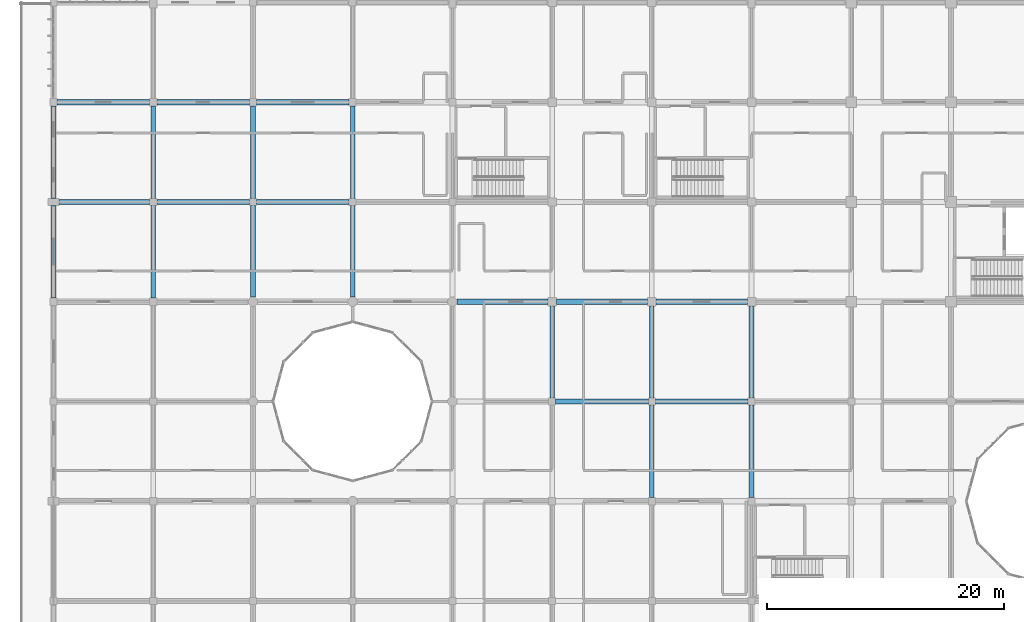
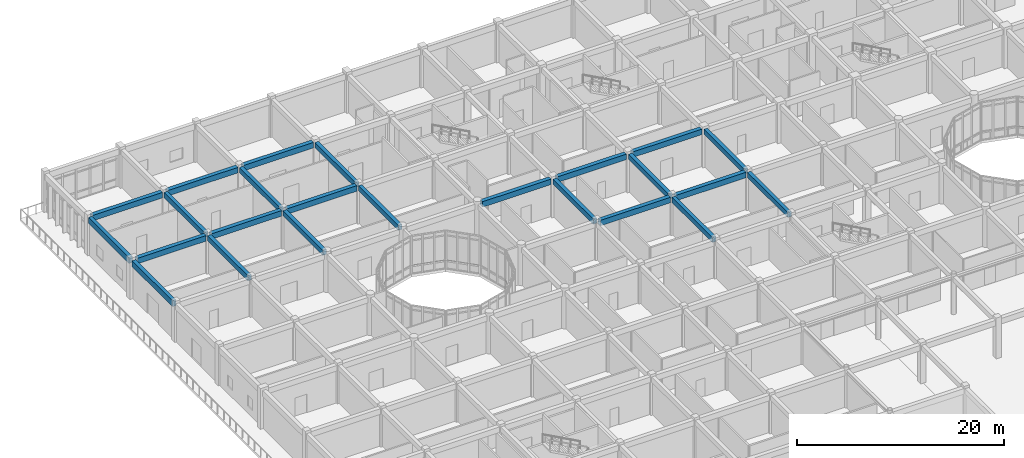
# One storey, part 30 of 138: 24 beams.
"""IFC4 building model written with IfcOpenShell, lengths in metres."""

from ifc_helpers import new_model, si_unit, direction, frame, origin, origin_2d, place, context, subcontext, project, spatial, rectangle, extrude, material, material_profile, profile_set, type_object, element, save


model = new_model("IFC4")

# Units and contexts
model_context = context("Model", 3, precision=1e-05, world=origin(), true_north=direction((0.0, 1.0)))
body_context = subcontext(model_context, "Body", "Model", "MODEL_VIEW")
ifc_project = project(units=[si_unit("LENGTHUNIT", "METRE"), si_unit("AREAUNIT", "SQUARE_METRE"), si_unit("VOLUMEUNIT", "CUBIC_METRE"), si_unit("PLANEANGLEUNIT", "RADIAN"), si_unit("MASSUNIT", "GRAM", prefix="KILO")], contexts=[model_context])

# Site, building, storey
site_placement = place(None, origin())
site = spatial("IfcSite", under=ifc_project, at=site_placement, CompositionType="ELEMENT")
building_placement = place(site_placement, origin())
building = spatial("IfcBuilding", under=site, at=building_placement, Name="Bramfleet General Hospital", CompositionType="ELEMENT")
storey_placement = place(building_placement, origin())
storey = spatial("IfcBuildingStorey", under=building, at=storey_placement, Name="L00", CompositionType="ELEMENT", Elevation=0.0)

# Beams
ifc_material = material(Name="Concrete C35/45", Category="concrete")
ifc_material_profile_1 = material_profile(ifc_material, rectangle(XDim=0.39990234375, YDim=0.60009765625, at=origin_2d()), Name="RC BM 600x400")
ifc_profile_set_1 = profile_set([ifc_material_profile_1], Name="Concrete C35/45")
beam_type_1 = type_object("IfcBeamType", Name="BM-RC600", PredefinedType="BEAM", material=ifc_profile_set_1)
beam_1_placement = place(storey_placement, frame((8.39990234375, 92.699951171875, 4.199951171875), z_axis=(0.0, 1.0, 0.0), x_axis=(-1.0, 0.0, 0.0)))
element("IfcBeam", 1, at=beam_1_placement, inside=storey, type_object=beam_type_1, Name="L00 Grid Beam Y 01-11", PredefinedType="BEAM", context=body_context, shape_type="SweptSolid", body=[
    extrude(rectangle(XDim=0.39990234375, YDim=0.60009765625, at=origin_2d()), origin(), (0.0, 0.0, 1.0), 7.800048828125),
])
beam_2_placement = place(storey_placement, frame((8.39990234375, 101.10009765625, 4.199951171875), z_axis=(0.0, 1.0, 0.0), x_axis=(-1.0, 0.0, 0.0)))
element("IfcBeam", 2, at=beam_2_placement, inside=storey, type_object=beam_type_1, Name="L00 Grid Beam Y 01-12", PredefinedType="BEAM", context=body_context, shape_type="SweptSolid", body=[
    extrude(rectangle(XDim=0.39990234375, YDim=0.60009765625, at=origin_2d()), origin(), (0.0, 0.0, 1.0), 7.7998046875),
])
beam_3_placement = place(storey_placement, frame((16.800048828125, 92.800048828125, 4.199951171875), z_axis=(0.0, 1.0, 0.0), x_axis=(-1.0, 0.0, 0.0)))
element("IfcBeam", 3, at=beam_3_placement, inside=storey, type_object=beam_type_1, Name="L00 Grid Beam Y 02-11", PredefinedType="BEAM", context=body_context, shape_type="SweptSolid", body=[
    extrude(rectangle(XDim=0.39990234375, YDim=0.60009765625, at=origin_2d()), origin(), (0.0, 0.0, 1.0), 7.699951171875),
])
beam_4_placement = place(storey_placement, frame((16.800048828125, 101.10009765625, 4.199951171875), z_axis=(0.0, 1.0, 0.0), x_axis=(-1.0, 0.0, 0.0)))
element("IfcBeam", 4, at=beam_4_placement, inside=storey, type_object=beam_type_1, Name="L00 Grid Beam Y 02-12", PredefinedType="BEAM", context=body_context, shape_type="SweptSolid", body=[
    extrude(rectangle(XDim=0.39990234375, YDim=0.60009765625, at=origin_2d()), origin(), (0.0, 0.0, 1.0), 7.7998046875),
])
beam_5_placement = place(storey_placement, frame((25.199951171875, 92.800048828125, 4.199951171875), z_axis=(0.0, 1.0, 0.0), x_axis=(-1.0, 0.0, 0.0)))
element("IfcBeam", 5, at=beam_5_placement, inside=storey, type_object=beam_type_1, Name="L00 Grid Beam Y 03-11", PredefinedType="BEAM", context=body_context, shape_type="SweptSolid", body=[
    extrude(rectangle(XDim=0.39990234375, YDim=0.60009765625, at=origin_2d()), origin(), (0.0, 0.0, 1.0), 7.699951171875),
])
beam_6_placement = place(storey_placement, frame((25.199951171875, 101.10009765625, 4.199951171875), z_axis=(0.0, 1.0, 0.0), x_axis=(-1.0, 0.0, 0.0)))
element("IfcBeam", 6, at=beam_6_placement, inside=storey, type_object=beam_type_1, Name="L00 Grid Beam Y 03-12", PredefinedType="BEAM", context=body_context, shape_type="SweptSolid", body=[
    extrude(rectangle(XDim=0.39990234375, YDim=0.60009765625, at=origin_2d()), origin(), (0.0, 0.0, 1.0), 7.7998046875),
])
beam_7_placement = place(storey_placement, frame((42.0, 84.300048828125, 4.199951171875), z_axis=(0.0, 1.0, 0.0), x_axis=(-1.0, 0.0, 0.0)))
element("IfcBeam", 7, at=beam_7_placement, inside=storey, type_object=beam_type_1, Name="L00 Grid Beam Y 05-10", PredefinedType="BEAM", context=body_context, shape_type="SweptSolid", body=[
    extrude(rectangle(XDim=0.39990234375, YDim=0.60009765625, at=origin_2d()), origin(), (0.0, 0.0, 1.0), 7.75),
])
beam_8_placement = place(storey_placement, frame((50.39990234375, 75.89990234375, 4.199951171875), z_axis=(0.0, 1.0, 0.0), x_axis=(-1.0, 0.0, 0.0)))
element("IfcBeam", 8, at=beam_8_placement, inside=storey, type_object=beam_type_1, Name="L00 Grid Beam Y 06-09", PredefinedType="BEAM", context=body_context, shape_type="SweptSolid", body=[
    extrude(rectangle(XDim=0.39990234375, YDim=0.60009765625, at=origin_2d()), origin(), (0.0, 0.0, 1.0), 7.800048828125),
])
beam_9_placement = place(storey_placement, frame((50.39990234375, 84.300048828125, 4.199951171875), z_axis=(0.0, 1.0, 0.0), x_axis=(-1.0, 0.0, 0.0)))
element("IfcBeam", 9, at=beam_9_placement, inside=storey, type_object=beam_type_1, Name="L00 Grid Beam Y 06-10", PredefinedType="BEAM", context=body_context, shape_type="SweptSolid", body=[
    extrude(rectangle(XDim=0.39990234375, YDim=0.60009765625, at=origin_2d()), origin(), (0.0, 0.0, 1.0), 7.75),
])
beam_10_placement = place(storey_placement, frame((58.800048828125, 75.89990234375, 4.199951171875), z_axis=(0.0, 1.0, 0.0), x_axis=(-1.0, 0.0, 0.0)))
element("IfcBeam", 10, at=beam_10_placement, inside=storey, type_object=beam_type_1, Name="L00 Grid Beam Y 07-09", PredefinedType="BEAM", context=body_context, shape_type="SweptSolid", body=[
    extrude(rectangle(XDim=0.39990234375, YDim=0.60009765625, at=origin_2d()), origin(), (0.0, 0.0, 1.0), 7.800048828125),
])
beam_11_placement = place(storey_placement, frame((58.800048828125, 84.300048828125, 4.199951171875), z_axis=(0.0, 1.0, 0.0), x_axis=(-1.0, 0.0, 0.0)))
element("IfcBeam", 11, at=beam_11_placement, inside=storey, type_object=beam_type_1, Name="L00 Grid Beam Y 07-10", PredefinedType="BEAM", context=body_context, shape_type="SweptSolid", body=[
    extrude(rectangle(XDim=0.39990234375, YDim=0.60009765625, at=origin_2d()), origin(), (0.0, 0.0, 1.0), 7.75),
])
ifc_material_profile_2 = material_profile(ifc_material, rectangle(XDim=0.449951171875, YDim=0.64990234375, at=origin_2d()), Name="RC BM 650x450")
ifc_profile_set_2 = profile_set([ifc_material_profile_2], Name="Concrete C35/45")
beam_type_2 = type_object("IfcBeamType", Name="BM-RC650", PredefinedType="BEAM", material=ifc_profile_set_2)
beam_12_placement = place(storey_placement, frame((0.449951171875, 100.800048828125, 4.175048828125), z_axis=(1.0, 0.0, 0.0), x_axis=(0.0, 1.0, 0.0)))
element("IfcBeam", 12, at=beam_12_placement, inside=storey, type_object=beam_type_2, Name="L00 Grid Beam X 00-12", PredefinedType="BEAM", context=body_context, shape_type="SweptSolid", body=[
    extrude(rectangle(XDim=0.449951171875, YDim=0.64990234375, at=origin_2d()), origin(), (0.0, 0.0, 1.0), 7.650146484375),
])
for number, where, z_axis, x_axis, name in (
    (13, (0.300048828125, 109.199951171875, 4.175048828125), (1.0, 0.0, 0.0), (0.0, 1.0, 0.0), "L00 Grid Beam X 00-13"),
    (14, (8.699951171875, 100.800048828125, 4.175048828125), (1.0, 0.0, 0.0), (0.0, 1.0, 0.0), "L00 Grid Beam X 01-12"),
    (15, (8.699951171875, 109.199951171875, 4.175048828125), (1.0, 0.0, 0.0), (0.0, 1.0, 0.0), "L00 Grid Beam X 01-13"),
):
    element("IfcBeam", number, at=place(storey_placement, frame(where, z_axis=z_axis, x_axis=x_axis)), inside=storey, type_object=beam_type_2, Name=name, PredefinedType="BEAM", context=body_context, shape_type="SweptSolid", body=[
        extrude(rectangle(XDim=0.449951171875, YDim=0.64990234375, at=origin_2d()), origin(), (0.0, 0.0, 1.0), 7.800048828125),
    ])
for number, where, z_axis, x_axis, name in (
    (16, (17.10009765625, 100.800048828125, 4.175048828125), (1.0, 0.0, 0.0), (0.0, 1.0, 0.0), "L00 Grid Beam X 02-12"),
    (17, (17.10009765625, 109.199951171875, 4.175048828125), (1.0, 0.0, 0.0), (0.0, 1.0, 0.0), "L00 Grid Beam X 02-13"),
):
    element("IfcBeam", number, at=place(storey_placement, frame(where, z_axis=z_axis, x_axis=x_axis)), inside=storey, type_object=beam_type_2, Name=name, PredefinedType="BEAM", context=body_context, shape_type="SweptSolid", body=[
        extrude(rectangle(XDim=0.449951171875, YDim=0.64990234375, at=origin_2d()), origin(), (0.0, 0.0, 1.0), 7.7998046875),
    ])
beam_13_placement = place(storey_placement, frame((34.0, 92.39990234375, 4.175048828125), z_axis=(1.0, 0.0, 0.0), x_axis=(0.0, 1.0, 0.0)))
element("IfcBeam", 18, at=beam_13_placement, inside=storey, type_object=beam_type_2, Name="L00 Grid Beam X 04-11", PredefinedType="BEAM", context=body_context, shape_type="SweptSolid", body=[
    extrude(rectangle(XDim=0.449951171875, YDim=0.64990234375, at=origin_2d()), origin(), (0.0, 0.0, 1.0), 7.64990234375),
])
beam_14_placement = place(storey_placement, frame((42.300048828125, 84.0, 4.175048828125), z_axis=(1.0, 0.0, 0.0), x_axis=(0.0, 1.0, 0.0)))
element("IfcBeam", 19, at=beam_14_placement, inside=storey, type_object=beam_type_2, Name="L00 Grid Beam X 05-10", PredefinedType="BEAM", context=body_context, shape_type="SweptSolid", body=[
    extrude(rectangle(XDim=0.449951171875, YDim=0.64990234375, at=origin_2d()), origin(), (0.0, 0.0, 1.0), 7.800048828125),
])
beam_15_placement = place(storey_placement, frame((42.35009765625, 92.39990234375, 4.175048828125), z_axis=(1.0, 0.0, 0.0), x_axis=(0.0, 1.0, 0.0)))
element("IfcBeam", 20, at=beam_15_placement, inside=storey, type_object=beam_type_2, Name="L00 Grid Beam X 05-11", PredefinedType="BEAM", context=body_context, shape_type="SweptSolid", body=[
    extrude(rectangle(XDim=0.449951171875, YDim=0.64990234375, at=origin_2d()), origin(), (0.0, 0.0, 1.0), 7.699951171875),
])
beam_16_placement = place(storey_placement, frame((50.699951171875, 84.0, 4.175048828125), z_axis=(1.0, 0.0, 0.0), x_axis=(0.0, 1.0, 0.0)))
element("IfcBeam", 21, at=beam_16_placement, inside=storey, type_object=beam_type_2, Name="L00 Grid Beam X 06-10", PredefinedType="BEAM", context=body_context, shape_type="SweptSolid", body=[
    extrude(rectangle(XDim=0.449951171875, YDim=0.64990234375, at=origin_2d()), origin(), (0.0, 0.0, 1.0), 7.800048828125),
])
beam_17_placement = place(storey_placement, frame((50.75, 92.39990234375, 4.175048828125), z_axis=(1.0, 0.0, 0.0), x_axis=(0.0, 1.0, 0.0)))
element("IfcBeam", 22, at=beam_17_placement, inside=storey, type_object=beam_type_2, Name="L00 Grid Beam X 06-11", PredefinedType="BEAM", context=body_context, shape_type="SweptSolid", body=[
    extrude(rectangle(XDim=0.449951171875, YDim=0.64990234375, at=origin_2d()), origin(), (0.0, 0.0, 1.0), 7.699951171875),
])
ifc_material_profile_3 = material_profile(ifc_material, rectangle(XDim=0.39990234375, YDim=0.699951171875, at=origin_2d()), Name="RC SP 700x400")
ifc_profile_set_3 = profile_set([ifc_material_profile_3], Name="Concrete C35/45")
beam_type_3 = type_object("IfcBeamType", Name="BM-SP700", PredefinedType="SPANDREL", material=ifc_profile_set_3)
beam_18_placement = place(storey_placement, frame((0.0, 92.699951171875, 4.14990234375), z_axis=(0.0, 1.0, 0.0), x_axis=(-1.0, 0.0, 0.0)))
element("IfcBeam", 23, at=beam_18_placement, inside=storey, type_object=beam_type_3, Name="L00 Grid Beam Y 00-11", PredefinedType="SPANDREL", context=body_context, shape_type="SweptSolid", body=[
    extrude(rectangle(XDim=0.39990234375, YDim=0.699951171875, at=origin_2d()), origin(), (0.0, 0.0, 1.0), 7.800048828125),
])
beam_19_placement = place(storey_placement, frame((0.0, 101.10009765625, 4.14990234375), z_axis=(0.0, 1.0, 0.0), x_axis=(-1.0, 0.0, 0.0)))
element("IfcBeam", 24, at=beam_19_placement, inside=storey, type_object=beam_type_3, Name="L00 Grid Beam Y 00-12", PredefinedType="SPANDREL", context=body_context, shape_type="SweptSolid", body=[
    extrude(rectangle(XDim=0.39990234375, YDim=0.699951171875, at=origin_2d()), origin(), (0.0, 0.0, 1.0), 7.7998046875),
])

save(model, "model.ifc")
